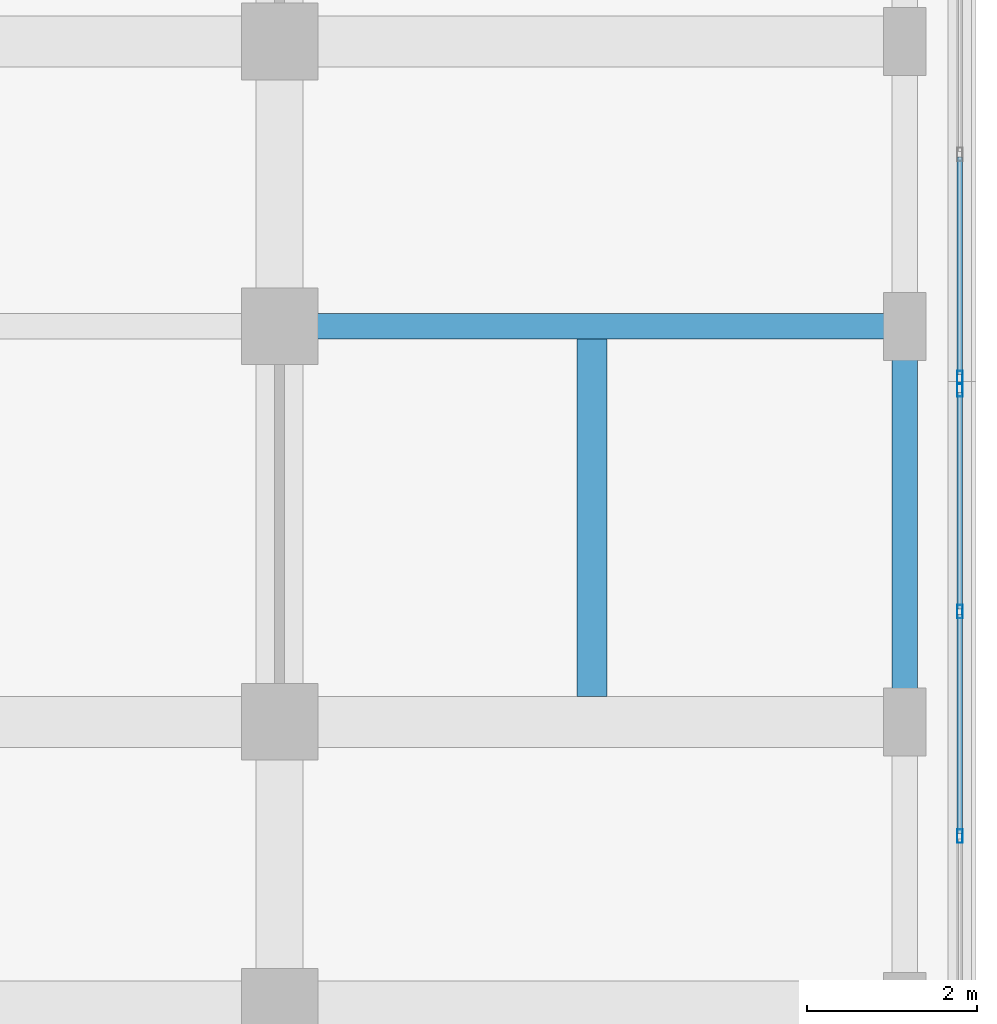
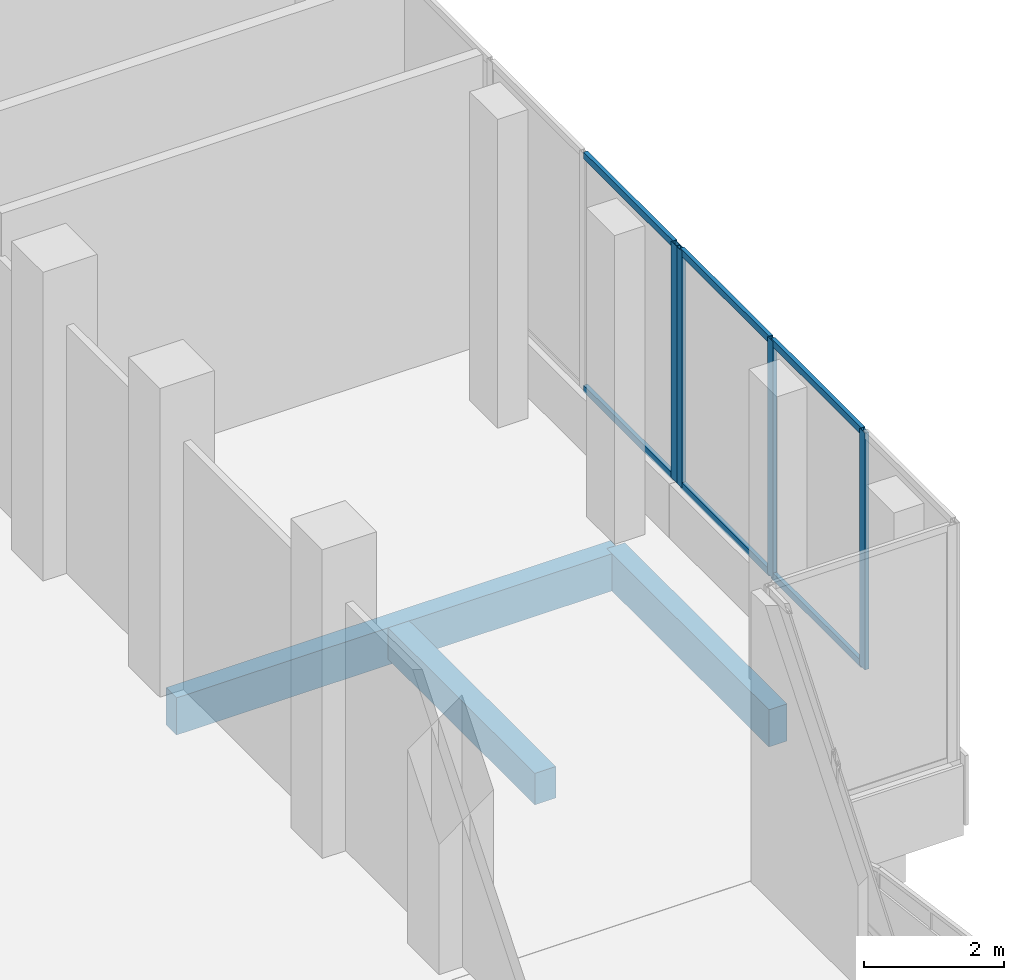
# One storey, part 104 of 158: 10 members, 3 beams, 2 elements without a shape of their own.
"""IFC4 building model written with IfcOpenShell, lengths in metres."""

from ifc_helpers import new_model, si_unit, direction, frame, origin, origin_2d, place, context, subcontext, project, spatial, rectangle, hollow_rectangle, extrude, material, material_profile, profile_set, type_object, element, aggregate, save


model = new_model("IFC4")

# Units and contexts
model_context = context("Model", 3, precision=1e-05, world=origin(), true_north=direction((0.0, 1.0)))
body_context = subcontext(model_context, "Body", "Model", "MODEL_VIEW")
ifc_project = project(units=[si_unit("LENGTHUNIT", "METRE"), si_unit("AREAUNIT", "SQUARE_METRE"), si_unit("VOLUMEUNIT", "CUBIC_METRE"), si_unit("PLANEANGLEUNIT", "RADIAN"), si_unit("MASSUNIT", "GRAM", prefix="KILO")], contexts=[model_context])

# Site, building, storey
site_placement = place(None, origin())
site = spatial("IfcSite", under=ifc_project, at=site_placement, CompositionType="ELEMENT")
building_placement = place(site_placement, origin())
building = spatial("IfcBuilding", under=site, at=building_placement, Name="Selatvlak General Hospital", CompositionType="ELEMENT")
storey_placement = place(building_placement, origin())
storey = spatial("IfcBuildingStorey", under=building, at=storey_placement, Name="L00", CompositionType="ELEMENT", Elevation=0.0)

# Beams
ifc_material_1 = material(Name="Concrete C40/50", Category="concrete")
ifc_material_profile_1 = material_profile(ifc_material_1, rectangle(XDim=0.35009765625, YDim=0.550048828125, at=origin_2d()), Name="RC-BM 350x550")
ifc_profile_set_1 = profile_set([ifc_material_profile_1], Name="Concrete C40/50")
beam_type_1 = type_object("IfcBeamType", Name="BM-J01", PredefinedType="JOIST", material=ifc_profile_set_1)
beam_1_placement = place(storey_placement, frame((177.675048828125, 68.300048828125, -0.625), z_axis=(0.0, 1.0, 0.0), x_axis=(-1.0, 0.0, 0.0)))
element("IfcBeam", 1, at=beam_1_placement, inside=storey, type_object=beam_type_1, Name="Beam BMR-L00-0313", PredefinedType="JOIST", context=body_context, shape_type="SweptSolid", body=[
    extrude(rectangle(XDim=0.35009765625, YDim=0.550048828125, at=origin_2d()), origin(), (0.0, 0.0, 1.0), 4.199951171875),
])
ifc_material_profile_2 = material_profile(ifc_material_1, rectangle(XDim=0.300048828125, YDim=0.64990234375, at=origin_2d()), Name="RC-SP 300x650")
ifc_profile_set_2 = profile_set([ifc_material_profile_2], Name="Concrete C40/50")
beam_type_2 = type_object("IfcBeamType", Name="BM-SP1", PredefinedType="SPANDREL", material=ifc_profile_set_2)
beam_2_placement = place(storey_placement, frame((174.0, 72.64990234375, -0.675048828125), z_axis=(1.0, 0.0, 0.0), x_axis=(0.0, 1.0, 0.0)))
element("IfcBeam", 2, at=beam_2_placement, inside=storey, type_object=beam_type_2, Name="Beam BMR-L00-0033", PredefinedType="SPANDREL", context=body_context, shape_type="SweptSolid", body=[
    extrude(rectangle(XDim=0.300048828125, YDim=0.64990234375, at=origin_2d()), origin(), (0.0, 0.0, 1.0), 7.35009765625),
])
beam_3_placement = place(storey_placement, frame((181.35009765625, 68.0, -0.675048828125), z_axis=(0.0, 1.0, 0.0), x_axis=(-1.0, 0.0, 0.0)))
element("IfcBeam", 3, at=beam_3_placement, inside=storey, type_object=beam_type_2, Name="Beam BMR-L00-0303", PredefinedType="SPANDREL", context=body_context, shape_type="SweptSolid", body=[
    extrude(rectangle(XDim=0.300048828125, YDim=0.64990234375, at=origin_2d()), origin(), (0.0, 0.0, 1.0), 4.64990234375),
])

# Curtain wall, member
ifc_material_2 = material(Name="Solar-control Low-E double glazing", Category="glass")
curtain_wall_type_1 = type_object("IfcCurtainWallType", Name="CW-CW-01", PredefinedType="USERDEFINED", material=ifc_material_2)
curtain_wall_1_placement = place(storey_placement, origin())
curtain_wall_1 = element("IfcCurtainWall", 4, at=curtain_wall_1_placement, inside=storey, type_object=curtain_wall_type_1, Name="Glazed facade curtain wall CW-L00-0016", ObjectType="UNITISED CURTAIN WALL", PredefinedType="USERDEFINED")
ifc_material_3 = material(Name="Dark anodised aluminium mullion", Category="aluminium")
ifc_material_profile_3 = material_profile(ifc_material_3, hollow_rectangle(XDim=0.06494140625, YDim=0.159912109375, WallThickness=0.00390625, at=origin_2d()), Name="AL-MUL 65x160x4")
ifc_profile_set_3 = profile_set([ifc_material_profile_3], Name="Dark anodised aluminium mullion")
member_type_1 = type_object("IfcMemberType", Name="CWM-01", PredefinedType="MULLION", material=ifc_profile_set_3)
member_1_placement = place(storey_placement, frame((182.0, 72.048583984375, 0.93994140625), z_axis=(0.0, 0.0, 1.0), x_axis=(1.0, 0.0, 0.0)))
member_1 = element("IfcMember", 5, at=member_1_placement, type_object=member_type_1, Name="CW-01 mullion 4", PredefinedType="MULLION", context=body_context, shape_type="SweptSolid", body=[
    extrude(hollow_rectangle(XDim=0.06494140625, YDim=0.159912109375, WallThickness=0.00390625, at=origin_2d()), origin(), (0.0, 0.0, 1.0), 4.14013671875),
])

# Curtain wall, members
curtain_wall_type_2 = type_object("IfcCurtainWallType", Name="CW-CW-02", PredefinedType="USERDEFINED", material=ifc_material_2)
curtain_wall_2_placement = place(storey_placement, origin())
curtain_wall_2 = element("IfcCurtainWall", 6, at=curtain_wall_2_placement, inside=storey, type_object=curtain_wall_type_2, Name="Glazed facade curtain wall CW-L00-0017", ObjectType="UNITISED CURTAIN WALL", PredefinedType="USERDEFINED")
member_2_placement = place(storey_placement, frame((182.0, 71.903564453125, 0.93994140625), z_axis=(0.0, 0.0, 1.0), x_axis=(1.0, 0.0, 0.0)))
member_2 = element("IfcMember", 7, at=member_2_placement, type_object=member_type_1, Name="CW-02 mullion 1", PredefinedType="MULLION", context=body_context, shape_type="SweptSolid", body=[
    extrude(hollow_rectangle(XDim=0.06494140625, YDim=0.159912109375, WallThickness=0.00390625, at=origin_2d()), origin(), (0.0, 0.0, 1.0), 4.14013671875),
])
member_3_placement = place(storey_placement, frame((182.0, 69.2958984375, 0.93994140625), z_axis=(0.0, 0.0, 1.0), x_axis=(1.0, 0.0, 0.0)))
member_3 = element("IfcMember", 8, at=member_3_placement, type_object=member_type_1, Name="CW-02 mullion 2", PredefinedType="MULLION", context=body_context, shape_type="SweptSolid", body=[
    extrude(hollow_rectangle(XDim=0.06494140625, YDim=0.159912109375, WallThickness=0.00390625, at=origin_2d()), origin(), (0.0, 0.0, 1.0), 4.14013671875),
])
member_4_placement = place(storey_placement, frame((182.0, 66.656005859375, 0.93994140625), z_axis=(0.0, 0.0, 1.0), x_axis=(1.0, 0.0, 0.0)))
member_4 = element("IfcMember", 9, at=member_4_placement, type_object=member_type_1, Name="CW-02 mullion 3", PredefinedType="MULLION", context=body_context, shape_type="SweptSolid", body=[
    extrude(hollow_rectangle(XDim=0.06494140625, YDim=0.159912109375, WallThickness=0.00390625, at=origin_2d()), origin(), (0.0, 0.0, 1.0), 4.14013671875),
])

# Member
ifc_material_profile_4 = material_profile(ifc_material_3, hollow_rectangle(XDim=0.06494140625, YDim=0.1201171875, WallThickness=0.00390625, at=origin_2d()), Name="AL-TRN 65x120x4")
ifc_profile_set_4 = profile_set([ifc_material_profile_4], Name="Dark anodised aluminium mullion")
member_type_2 = type_object("IfcMemberType", Name="CWT-01", PredefinedType="USERDEFINED", material=ifc_profile_set_4)
member_5_placement = place(storey_placement, frame((182.0, 74.64013671875, 0.972412109375), z_axis=(0.0, -1.0, 0.0), x_axis=(1.0, 0.0, 0.0)))
member_5 = element("IfcMember", 10, at=member_5_placement, type_object=member_type_2, Name="CW-01 transom 3.1", ObjectType="TRANSOM", PredefinedType="USERDEFINED", context=body_context, shape_type="SweptSolid", body=[
    extrude(hollow_rectangle(XDim=0.06494140625, YDim=0.1201171875, WallThickness=0.00390625, at=origin_2d()), origin(), (0.0, 0.0, 1.0), 2.55908203125),
])

member_6_placement = place(storey_placement, frame((182.0, 74.64013671875, 5.047607421875), z_axis=(0.0, -1.0, 0.0), x_axis=(1.0, 0.0, 0.0)))
member_6 = element("IfcMember", 11, at=member_6_placement, type_object=member_type_2, Name="CW-01 transom 3.2", ObjectType="TRANSOM", PredefinedType="USERDEFINED", context=body_context, shape_type="SweptSolid", body=[
    extrude(hollow_rectangle(XDim=0.06494140625, YDim=0.1201171875, WallThickness=0.00390625, at=origin_2d()), origin(), (0.0, 0.0, 1.0), 2.55908203125),
])

aggregate(curtain_wall_1, [member_1, member_5, member_6])

member_7_placement = place(storey_placement, frame((182.0, 71.87109375, 0.972412109375), z_axis=(0.0, -1.0, 0.0), x_axis=(1.0, 0.0, 0.0)))
member_7 = element("IfcMember", 12, at=member_7_placement, type_object=member_type_2, Name="CW-02 transom 1.1", ObjectType="TRANSOM", PredefinedType="USERDEFINED", context=body_context, shape_type="SweptSolid", body=[
    extrude(hollow_rectangle(XDim=0.06494140625, YDim=0.1201171875, WallThickness=0.00390625, at=origin_2d()), origin(), (0.0, 0.0, 1.0), 2.54248046875),
])

member_8_placement = place(storey_placement, frame((182.0, 71.87109375, 5.047607421875), z_axis=(0.0, -1.0, 0.0), x_axis=(1.0, 0.0, 0.0)))
member_8 = element("IfcMember", 13, at=member_8_placement, type_object=member_type_2, Name="CW-02 transom 1.2", ObjectType="TRANSOM", PredefinedType="USERDEFINED", context=body_context, shape_type="SweptSolid", body=[
    extrude(hollow_rectangle(XDim=0.06494140625, YDim=0.1201171875, WallThickness=0.00390625, at=origin_2d()), origin(), (0.0, 0.0, 1.0), 2.54248046875),
])

member_9_placement = place(storey_placement, frame((182.0, 69.263427734375, 0.972412109375), z_axis=(0.0, -1.0, 0.0), x_axis=(1.0, 0.0, 0.0)))
member_9 = element("IfcMember", 14, at=member_9_placement, type_object=member_type_2, Name="CW-02 transom 2.1", ObjectType="TRANSOM", PredefinedType="USERDEFINED", context=body_context, shape_type="SweptSolid", body=[
    extrude(hollow_rectangle(XDim=0.06494140625, YDim=0.1201171875, WallThickness=0.00390625, at=origin_2d()), origin(), (0.0, 0.0, 1.0), 2.574951171875),
])

member_10_placement = place(storey_placement, frame((182.0, 69.263427734375, 5.047607421875), z_axis=(0.0, -1.0, 0.0), x_axis=(1.0, 0.0, 0.0)))
member_10 = element("IfcMember", 15, at=member_10_placement, type_object=member_type_2, Name="CW-02 transom 2.2", ObjectType="TRANSOM", PredefinedType="USERDEFINED", context=body_context, shape_type="SweptSolid", body=[
    extrude(hollow_rectangle(XDim=0.06494140625, YDim=0.1201171875, WallThickness=0.00390625, at=origin_2d()), origin(), (0.0, 0.0, 1.0), 2.574951171875),
])

aggregate(curtain_wall_2, [member_2, member_3, member_4, member_7, member_8, member_9, member_10])

save(model, "model.ifc")
